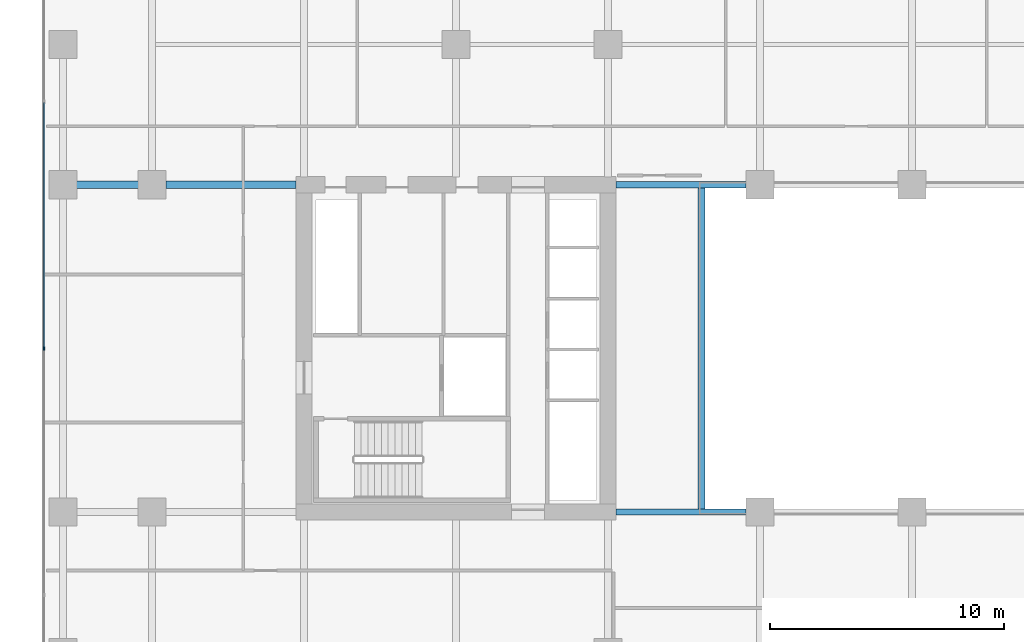
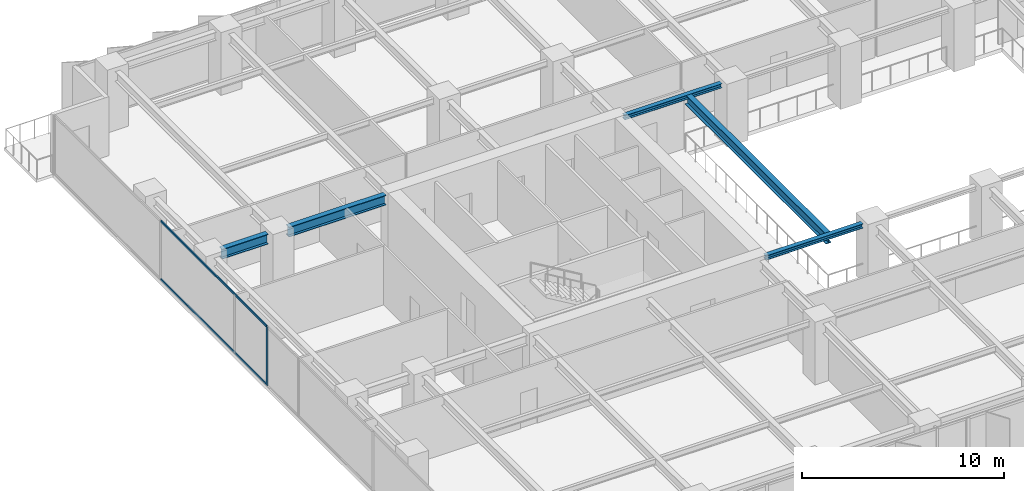
# One storey, part 4 of 20: 5 beams, 3 members, 1 element without a shape of its own.
"""IFC4 building model written with IfcOpenShell, lengths in metres."""

from ifc_helpers import new_model, si_unit, direction, frame, origin, origin_2d, place, context, subcontext, project, spatial, rectangle, i_section, extrude, material, layer, layer_set, material_profile, profile_set, type_object, element, aggregate, save


model = new_model("IFC4")

# Units and contexts
model_context = context("Model", 3, precision=1e-05, world=origin(), true_north=direction((0.0, 1.0)))
body_context = subcontext(model_context, "Body", "Model", "MODEL_VIEW")
ifc_project = project(units=[si_unit("LENGTHUNIT", "METRE"), si_unit("AREAUNIT", "SQUARE_METRE"), si_unit("VOLUMEUNIT", "CUBIC_METRE"), si_unit("PLANEANGLEUNIT", "RADIAN"), si_unit("MASSUNIT", "GRAM", prefix="KILO")], contexts=[model_context])

# Site, building, storey
site_placement = place(None, origin())
site = spatial("IfcSite", under=ifc_project, at=site_placement, CompositionType="ELEMENT")
building_placement = place(site_placement, origin())
building = spatial("IfcBuilding", under=site, at=building_placement, Name="Putna Gate Headquarters", CompositionType="ELEMENT")
storey_placement = place(building_placement, frame((0.0, 0.0, 89.800048828125)))
storey = spatial("IfcBuildingStorey", under=building, at=storey_placement, Name="L21", CompositionType="ELEMENT", Elevation=89.800048828125)

# Beams
ifc_material_1 = material(Name="Steel S355J2", Category="steel")
ifc_material_profile_1 = material_profile(ifc_material_1, i_section(OverallWidth=0.260009765625, OverallDepth=0.260009765625, WebThickness=0.010009765625, FlangeThickness=0.017578125, at=origin_2d()), Name="Steel S355J2")
ifc_profile_set_1 = profile_set([ifc_material_profile_1], Name="Steel S355J2")
beam_type_1 = type_object("IfcBeamType", Name="BM-ATRIUM-HEB260", PredefinedType="BEAM", material=ifc_profile_set_1)
for number, where, z_axis, x_axis, name in (
    (1, (26.3349609375, 19.0, 3.43505859375), (1.0, 0.0, 0.0), (0.0, 1.0, 0.0), "L21 Atrium Edge Beam AS1"),
    (2, (26.3349609375, 33.0, 3.43505859375), (1.0, 0.0, 0.0), (0.0, 1.0, 0.0), "L21 Atrium Edge Beam AN1"),
):
    element("IfcBeam", number, at=place(storey_placement, frame(where, z_axis=z_axis, x_axis=x_axis)), inside=storey, type_object=beam_type_1, Name=name, PredefinedType="BEAM", context=body_context, shape_type="SweptSolid", body=[
        extrude(i_section(OverallWidth=0.260009765625, OverallDepth=0.260009765625, WebThickness=0.010009765625, FlangeThickness=0.017578125, at=origin_2d()), origin(), (0.0, 0.0, 1.0), 5.5771484375),
    ])
ifc_material_profile_2 = material_profile(ifc_material_1, i_section(OverallWidth=0.300048828125, OverallDepth=0.60009765625, WebThickness=0.015380859375, FlangeThickness=0.030029296875, at=origin_2d()), Name="Steel S355J2")
ifc_profile_set_2 = profile_set([ifc_material_profile_2], Name="Steel S355J2")
beam_type_2 = type_object("IfcBeamType", Name="BM-GIRD-Z2-HEB600", PredefinedType="USERDEFINED", material=ifc_profile_set_2)
beam_1_placement = place(storey_placement, frame((3.26806640625, 33.0, 3.264892578125), z_axis=(1.0, 0.0, 0.0), x_axis=(0.0, 1.0, 0.0)))
element("IfcBeam", 3, at=beam_1_placement, inside=storey, type_object=beam_type_2, Name="L21 West Wing Girder Y33-1", ObjectType="GIRDER", PredefinedType="USERDEFINED", context=body_context, shape_type="SweptSolid", body=[
    extrude(i_section(OverallWidth=0.300048828125, OverallDepth=0.60009765625, WebThickness=0.015380859375, FlangeThickness=0.030029296875, at=origin_2d()), origin(), (0.0, 0.0, 1.0), 2.64404296875),
])
beam_2_placement = place(storey_placement, frame((7.087890625, 33.0, 3.264892578125), z_axis=(1.0, 0.0, 0.0), x_axis=(0.0, 1.0, 0.0)))
element("IfcBeam", 4, at=beam_2_placement, inside=storey, type_object=beam_type_2, Name="L21 West Wing Girder Y33-2", ObjectType="GIRDER", PredefinedType="USERDEFINED", context=body_context, shape_type="SweptSolid", body=[
    extrude(i_section(OverallWidth=0.300048828125, OverallDepth=0.60009765625, WebThickness=0.015380859375, FlangeThickness=0.030029296875, at=origin_2d()), origin(), (0.0, 0.0, 1.0), 5.5771484375),
])
beam_3_placement = place(storey_placement, frame((30.0, 19.010009765625, 3.264892578125), z_axis=(0.0, 1.0, 0.0), x_axis=(-1.0, 0.0, 0.0)))
element("IfcBeam", 5, at=beam_3_placement, inside=storey, type_object=beam_type_2, Name="L21 Atrium Trim Girder AW", ObjectType="GIRDER", PredefinedType="USERDEFINED", context=body_context, shape_type="SweptSolid", body=[
    extrude(i_section(OverallWidth=0.300048828125, OverallDepth=0.60009765625, WebThickness=0.015380859375, FlangeThickness=0.030029296875, at=origin_2d()), origin(), (0.0, 0.0, 1.0), 13.97998046875),
])

# Curtain wall, members
ifc_material_2 = material(Name="Anodised bronze aluminium curtain wall", Category="aluminium")
ifc_layer = layer(ifc_material_2, 0.159912109375)
ifc_layer_set = layer_set([ifc_layer], Name="Anodised bronze aluminium curtain wall")
curtain_wall_type = type_object("IfcCurtainWallType", Name="CW-SYS-Z2", PredefinedType="USERDEFINED", material=ifc_layer_set)
curtain_wall_placement = place(storey_placement, origin())
curtain_wall = element("IfcCurtainWall", 6, at=curtain_wall_placement, inside=storey, type_object=curtain_wall_type, Name="L21 West Curtain Wall", ObjectType="STICK CURTAIN WALL", PredefinedType="USERDEFINED")
ifc_material_3 = material(Name="Anodised bronze aluminium EN AW-6060", Category="aluminium")
ifc_material_profile_3 = material_profile(ifc_material_3, rectangle(XDim=0.06494140625, YDim=0.159912109375, at=origin_2d()), Name="Anodised bronze aluminium EN AW-6060")
ifc_profile_set_3 = profile_set([ifc_material_profile_3], Name="Anodised bronze aluminium EN AW-6060")
member_type_1 = type_object("IfcMemberType", Name="MULL-CWM-2", PredefinedType="MULLION", material=ifc_profile_set_3)
member_1_placement = place(storey_placement, frame((1.8798828125, 26.0, 0.0), z_axis=(0.0, 0.0, 1.0), x_axis=(-1.0, 0.0, 0.0)))
member_1 = element("IfcMember", 7, at=member_1_placement, type_object=member_type_1, Name="CWS-2 mullion 3", PredefinedType="MULLION", context=body_context, shape_type="SweptSolid", body=[
    extrude(rectangle(XDim=0.06494140625, YDim=0.159912109375, at=origin_2d()), origin(), (0.0, 0.0, 1.0), 3.56494140625),
])
ifc_material_profile_4 = material_profile(ifc_material_3, rectangle(XDim=0.06494140625, YDim=0.1201171875, at=origin_2d()), Name="Anodised bronze aluminium EN AW-6060")
ifc_profile_set_4 = profile_set([ifc_material_profile_4], Name="Anodised bronze aluminium EN AW-6060")
member_type_2 = type_object("IfcMemberType", Name="TRAN-CWT-2", PredefinedType="USERDEFINED", material=ifc_profile_set_4)
member_2_placement = place(storey_placement, frame((1.8798828125, 26.032470703125, 0.032470703125), z_axis=(0.0, 1.0, 0.0), x_axis=(-1.0, 0.0, 0.0)))
member_2 = element("IfcMember", 8, at=member_2_placement, type_object=member_type_2, Name="CWS-2 transom 3.1", ObjectType="TRANSOM", PredefinedType="USERDEFINED", context=body_context, shape_type="SweptSolid", body=[
    extrude(rectangle(XDim=0.06494140625, YDim=0.1201171875, at=origin_2d()), origin(), (0.0, 0.0, 1.0), 10.485107421875),
])
member_3_placement = place(storey_placement, frame((1.8798828125, 26.032470703125, 3.532470703125), z_axis=(0.0, 1.0, 0.0), x_axis=(-1.0, 0.0, 0.0)))
member_3 = element("IfcMember", 9, at=member_3_placement, type_object=member_type_2, Name="CWS-2 transom 3.2", ObjectType="TRANSOM", PredefinedType="USERDEFINED", context=body_context, shape_type="SweptSolid", body=[
    extrude(rectangle(XDim=0.06494140625, YDim=0.1201171875, at=origin_2d()), origin(), (0.0, 0.0, 1.0), 10.485107421875),
])
aggregate(curtain_wall, [member_1, member_2, member_3])

save(model, "model.ifc")
